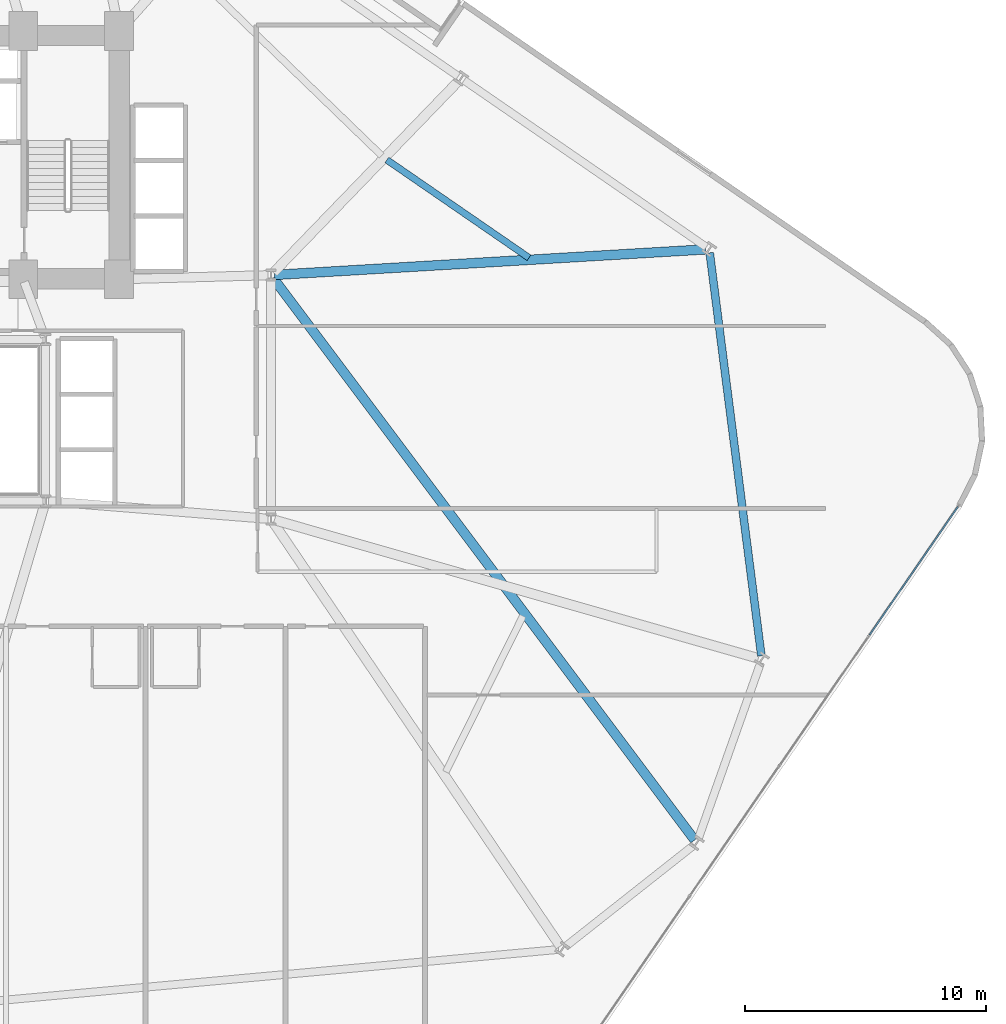
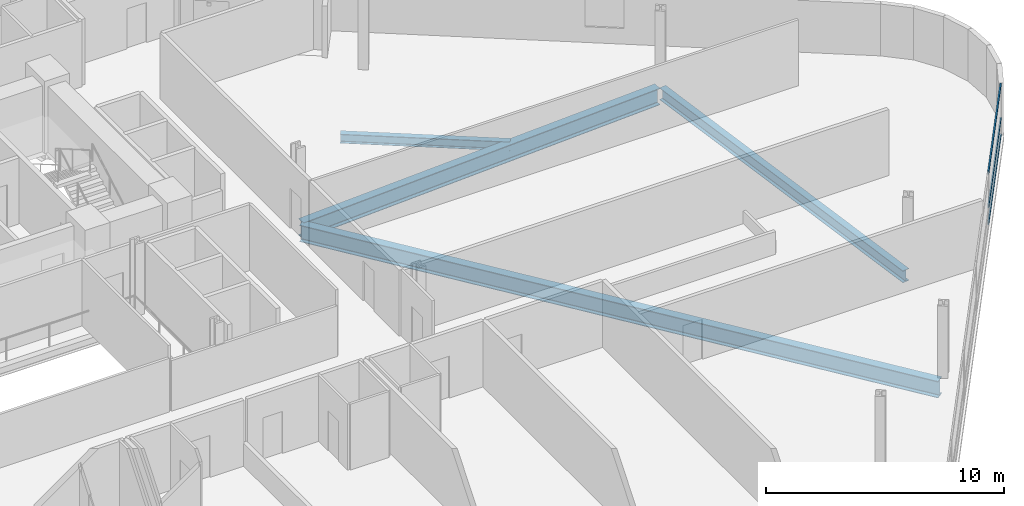
# One storey, part 10 of 24: 4 beams, 3 members, 1 element without a shape of its own.
"""IFC4 building model written with IfcOpenShell, lengths in metres."""

import ifcopenshell
import ifcopenshell.guid

model = None  # the IFC model being written
_history = None  # IfcOwnerHistory: only IFC2X3 demands one
_inside = {}  # id of a spatial element -> (the spatial element, [elements in it])
_under = {}  # id of a project, library or spatial element -> (it, [spatial elements below it])
_declared = {}  # id of a project -> (the project, [libraries it declares])
_typed = {}  # id of a type object -> (the type object, [elements of that type])
_made_of = {}  # id of a material, layer set ... -> (it, [elements and type objects made of it])


def new_model(schema):
    """Start an empty IFC model of exactly this schema.

    Asked for "IFC4X3", IfcOpenShell would pick the latest addendum, in which some entities
    have other attributes; the version numbers below select the first issue.
    IFC2X3 requires an IfcOwnerHistory on every rooted entity: one is made here for all.
    """
    global model, _history
    if schema == "IFC4X3":
        model = ifcopenshell.file(schema_version=(4, 3, 0, 0))
    else:
        model = ifcopenshell.file(schema=schema)
    _inside.clear()
    _under.clear()
    _declared.clear()
    _typed.clear()
    _made_of.clear()
    _history = None
    if model.schema == "IFC2X3":
        org = make("IfcOrganization", Name="unknown")
        user = make(
            "IfcPersonAndOrganization",
            ThePerson=make("IfcPerson", FamilyName="unknown"),
            TheOrganization=org,
        )
        app = make(
            "IfcApplication",
            ApplicationDeveloper=org,
            Version="unknown",
            ApplicationFullName="unknown",
            ApplicationIdentifier="unknown",
        )
        _history = make(
            "IfcOwnerHistory",
            OwningUser=user,
            OwningApplication=app,
            ChangeAction="ADDED",
            CreationDate=0,
        )
    return model


def make(cls, **values):
    """One entity of the class cls with the attributes given. An attribute that is None is left unset."""
    return model.create_entity(
        cls, **{name: value for name, value in values.items() if value is not None}
    )


def rooted(cls, **values):
    """An entity with a GlobalId (a new one), such as an element, a storey or a relation."""
    return make(cls, GlobalId=ifcopenshell.guid.new(), OwnerHistory=_history, **values)


def si_unit(unit_type, name, prefix=None):
    """IfcSIUnit, for example si_unit("LENGTHUNIT", "METRE", prefix="MILLI")."""
    return make("IfcSIUnit", UnitType=unit_type, Prefix=prefix, Name=name)


def assignment(units):
    """IfcUnitAssignment: the units of a project."""
    return None if units is None else make("IfcUnitAssignment", Units=units)


def point(xyz):
    """IfcCartesianPoint."""
    return None if xyz is None else make("IfcCartesianPoint", Coordinates=xyz)


def direction(xyz):
    """IfcDirection."""
    return None if xyz is None else make("IfcDirection", DirectionRatios=xyz)


def frame(location, z_axis=None, x_axis=None):
    """IfcAxis2Placement3D, a coordinate frame: its origin and axes. An axis left out is left unset."""
    return make(
        "IfcAxis2Placement3D",
        Location=point(location),
        Axis=direction(z_axis),
        RefDirection=direction(x_axis),
    )


def frame_2d(location, x_axis=None):
    """IfcAxis2Placement2D, a coordinate frame in the plane: its origin and x axis."""
    return make(
        "IfcAxis2Placement2D", Location=point(location), RefDirection=direction(x_axis)
    )


def origin():
    """The frame at (0, 0, 0) with its axes left unset."""
    return frame((0.0, 0.0, 0.0))


def origin_2d():
    """The frame at (0, 0) in the plane with its x axis left unset."""
    return frame_2d((0.0, 0.0))


def place(relative_to, where):
    """IfcLocalPlacement: puts the frame where relative to a parent placement (None: the world)."""
    return make(
        "IfcLocalPlacement", PlacementRelTo=relative_to, RelativePlacement=where
    )


def context(
    kind, dimensions, precision=None, world=None, true_north=None, identifier=None
):
    """IfcGeometricRepresentationContext, for example the 3D "Model" context."""
    return make(
        "IfcGeometricRepresentationContext",
        ContextIdentifier=identifier,
        ContextType=kind,
        CoordinateSpaceDimension=dimensions,
        Precision=precision,
        WorldCoordinateSystem=world,
        TrueNorth=true_north,
    )


def subcontext(parent, identifier, kind, view, scale=None):
    """IfcGeometricRepresentationSubContext, for example "Body" below "Model"."""
    return make(
        "IfcGeometricRepresentationSubContext",
        ContextIdentifier=identifier,
        ContextType=kind,
        ParentContext=parent,
        TargetScale=scale,
        TargetView=view,
    )


def project(units=None, contexts=None):
    """IfcProject with its units and contexts."""
    return rooted(
        "IfcProject",
        Name="project",
        RepresentationContexts=contexts,
        UnitsInContext=assignment(units),
    )


def spatial(cls, under=None, at=None, **own):
    """A site, building, storey or space (cls), placed at a placement, below another one or the project."""
    s = rooted(cls, ObjectPlacement=at, **own)
    if under is not None:
        _under.setdefault(under.id(), (under, []))[1].append(s)
    return s


def profile(cls, at=None, kind="AREA", **sizes):
    """A parametric profile (cls). Its sizes go by their IFC names, for example OverallWidth=200.0."""
    return make(cls, ProfileType=kind, Position=at, **sizes)


def hollow_rectangle(**sizes):
    """IfcRectangleHollowProfileDef."""
    return profile("IfcRectangleHollowProfileDef", **sizes)


def i_section(**sizes):
    """IfcIShapeProfileDef."""
    return profile("IfcIShapeProfileDef", **sizes)


def extrude(swept, where, along, depth):
    """IfcExtrudedAreaSolid: the profile swept, set in the frame where, extruded along a direction by depth."""
    return make(
        "IfcExtrudedAreaSolid",
        SweptArea=swept,
        Position=where,
        ExtrudedDirection=direction(along),
        Depth=depth,
    )


def shape(context_of_items, identifier, shape_type, items):
    """IfcShapeRepresentation: the items that make up one representation, for example the "Body"."""
    return make(
        "IfcShapeRepresentation",
        ContextOfItems=context_of_items,
        RepresentationIdentifier=identifier,
        RepresentationType=shape_type,
        Items=items,
    )


def material(Name=None, Category=None):
    """IfcMaterial."""
    return make("IfcMaterial", Name=Name, Category=Category)


def layer(
    of_material, thickness, ventilated=None, Name=None, Category=None, Priority=None
):
    """IfcMaterialLayer: one layer of a wall or slab, of a material (None: an air gap)."""
    return make(
        "IfcMaterialLayer",
        Material=of_material,
        LayerThickness=thickness,
        IsVentilated=ventilated,
        Name=Name,
        Category=Category,
        Priority=Priority,
    )


def layer_set(layers, Name=None):
    """IfcMaterialLayerSet."""
    return make("IfcMaterialLayerSet", MaterialLayers=layers, LayerSetName=Name)


def material_profile(
    of_material, cross_section, Name=None, Category=None, Priority=None
):
    """IfcMaterialProfile: a cross section and its material."""
    return make(
        "IfcMaterialProfile",
        Name=Name,
        Material=of_material,
        Profile=cross_section,
        Priority=Priority,
        Category=Category,
    )


def profile_set(profiles, Name=None, composite=None):
    """IfcMaterialProfileSet."""
    return make(
        "IfcMaterialProfileSet",
        Name=Name,
        MaterialProfiles=profiles,
        CompositeProfile=composite,
    )


def made_of(thing, what):
    """Note that an element or type object is made of a material, layer set ...; save() writes the relation."""
    if what is not None:
        _made_of.setdefault(what.id(), (what, []))[1].append(thing)
    return thing


def type_object(cls, material=None, **own):
    """A type object (cls), such as IfcWallType, which elements share."""
    return made_of(rooted(cls, **own), material)


def element(
    cls,
    number,
    at=None,
    inside=None,
    cuts=None,
    type_object=None,
    material=None,
    context=None,
    identifier="Body",
    shape_type=None,
    held_by="IfcProductDefinitionShape",
    body=None,
    shapes=None,
    **own,
):
    """One element of the class cls, such as IfcWall. Its Tag is "e" and its number.

    at: its placement. inside: the storey or other place that contains it. cuts: it is an
    opening in that element (IfcRelVoidsElement). A single representation is given by context,
    identifier, shape_type and body (its items); several are given by shapes. held_by: the class
    of the entity that holds the representations. save() writes the other relations.
    """
    e = rooted(cls, Tag="e%d" % number, ObjectPlacement=at, **own)
    if body is not None:
        shapes = [shape(context, identifier, shape_type, body)]
    if shapes is not None:
        e.Representation = make(held_by, Representations=shapes)
    if inside is not None:
        _inside.setdefault(inside.id(), (inside, []))[1].append(e)
    if cuts is not None:
        rooted(
            "IfcRelVoidsElement", RelatingBuildingElement=cuts, RelatedOpeningElement=e
        )
    if type_object is not None:
        _typed.setdefault(type_object.id(), (type_object, []))[1].append(e)
    return made_of(e, material)


def aggregate(whole, parts):
    """IfcRelAggregates: a whole, such as a stair, and the parts it consists of."""
    return rooted("IfcRelAggregates", RelatingObject=whole, RelatedObjects=parts)


def save(model, path):
    """Write the relations noted so far, then the file.

    IfcRelAggregates (storeys below a building ...), IfcRelContainedInSpatialStructure (elements
    in a storey), IfcRelDefinesByType, IfcRelAssociatesMaterial and IfcRelDeclares: one each for
    every whole, place, type object, material and project.
    """
    for whole, parts in _under.values():
        aggregate(whole, parts)
    for where, things in _inside.values():
        rooted(
            "IfcRelContainedInSpatialStructure",
            RelatedElements=things,
            RelatingStructure=where,
        )
    for kind, things in _typed.values():
        rooted("IfcRelDefinesByType", RelatedObjects=things, RelatingType=kind)
    for what, things in _made_of.values():
        rooted("IfcRelAssociatesMaterial", RelatedObjects=things, RelatingMaterial=what)
    for by, libraries in _declared.values():
        rooted("IfcRelDeclares", RelatingContext=by, RelatedDefinitions=libraries)
    model.write(path)


model = new_model("IFC4")

# Units and contexts
model_context = context("Model", 3, precision=1e-05, world=origin(), true_north=direction((0.0, 1.0)))
body_context = subcontext(model_context, "Body", "Model", "MODEL_VIEW")
ifc_project = project(units=[si_unit("LENGTHUNIT", "METRE"), si_unit("AREAUNIT", "SQUARE_METRE"), si_unit("VOLUMEUNIT", "CUBIC_METRE"), si_unit("PLANEANGLEUNIT", "RADIAN"), si_unit("MASSUNIT", "GRAM", prefix="KILO")], contexts=[model_context])

# Site, building, storey
site_placement = place(None, origin())
site = spatial("IfcSite", under=ifc_project, at=site_placement, CompositionType="ELEMENT")
building_placement = place(site_placement, origin())
building = spatial("IfcBuilding", under=site, at=building_placement, Name="Varnelok Gate Tower", CompositionType="ELEMENT")
storey_placement = place(building_placement, frame((0.0, 0.0, 67.699951171875)))
storey = spatial("IfcBuildingStorey", under=building, at=storey_placement, Name="L16", CompositionType="ELEMENT", Elevation=67.699951171875)

# Beams
ifc_material_1 = material(Name="Structural Steel ASTM A992 Grade 50", Category="steel")
ifc_material_profile_1 = material_profile(ifc_material_1, i_section(OverallWidth=0.280029296875, OverallDepth=0.462890625, WebThickness=0.0107421875, FlangeThickness=0.017333984375, FilletRadius=0.014892578125, at=origin_2d()), Name="W18X76")
ifc_profile_set_1 = profile_set([ifc_material_profile_1], Name="Structural Steel ASTM A992 Grade 50")
beam_type_1 = type_object("IfcBeamType", Name="BM-JST-W18X76", PredefinedType="JOIST", material=ifc_profile_set_1)
beam_1_placement = place(storey_placement, frame((64.705078125, 29.640380859375, -0.4814453125), z_axis=(-0.823532034116, 0.567269767205, 0.0), x_axis=(-0.567269767205, -0.823532034116, 0.0)))
element("IfcBeam", 1, at=beam_1_placement, inside=storey, type_object=beam_type_1, Name="L16 Sector Floor Joist 6", PredefinedType="JOIST", context=body_context, shape_type="SweptSolid", body=[
    extrude(i_section(OverallWidth=0.280029296875, OverallDepth=0.462890625, WebThickness=0.0107421875, FlangeThickness=0.017333984375, FilletRadius=0.014892578125, at=origin_2d()), origin(), (0.0, 0.0, 1.0), 7.15771484375),
])
ifc_material_profile_2 = material_profile(ifc_material_1, i_section(OverallWidth=0.39892578125, OverallDepth=0.85498046875, WebThickness=0.018310546875, FlangeThickness=0.029296875, FilletRadius=0.02392578125, at=origin_2d()), Name="W33X201")
ifc_profile_set_2 = profile_set([ifc_material_profile_2], Name="Structural Steel ASTM A992 Grade 50")
beam_type_2 = type_object("IfcBeamType", Name="BM-PRI-W33X201", PredefinedType="BEAM", material=ifc_profile_set_2)
beam_2_placement = place(storey_placement, frame((54.090087890625, 28.800048828125, -0.677490234375), z_axis=(0.600038863323, -0.799970851033, 0.0), x_axis=(0.799970851033, 0.600038863323, 0.0)))
element("IfcBeam", 2, at=beam_2_placement, inside=storey, type_object=beam_type_2, Name="L16 Radial Floor Girder 7", PredefinedType="BEAM", context=body_context, shape_type="SweptSolid", body=[
    extrude(i_section(OverallWidth=0.39892578125, OverallDepth=0.85498046875, WebThickness=0.018310546875, FlangeThickness=0.029296875, FilletRadius=0.02392578125, at=origin_2d()), origin(), (0.0, 0.0, 1.0), 29.148193359375),
])
beam_3_placement = place(storey_placement, frame((54.149658203125, 28.928955078125, -0.677490234375), z_axis=(0.998250753284, 0.059122191839, 0.0), x_axis=(-0.059122191839, 0.998250753284, 0.0)))
element("IfcBeam", 3, at=beam_3_placement, inside=storey, type_object=beam_type_2, Name="L16 Radial Floor Girder 9", PredefinedType="BEAM", context=body_context, shape_type="SweptSolid", body=[
    extrude(i_section(OverallWidth=0.39892578125, OverallDepth=0.85498046875, WebThickness=0.018310546875, FlangeThickness=0.029296875, FilletRadius=0.02392578125, at=origin_2d()), origin(), (0.0, 0.0, 1.0), 17.91748046875),
])
ifc_material_profile_3 = material_profile(ifc_material_1, i_section(OverallWidth=0.323974609375, OverallDepth=0.611083984375, WebThickness=0.0126953125, FlangeThickness=0.01904296875, FilletRadius=0.01806640625, at=origin_2d()), Name="W24X104")
ifc_profile_set_3 = profile_set([ifc_material_profile_3], Name="Structural Steel ASTM A992 Grade 50")
beam_type_3 = type_object("IfcBeamType", Name="BM-SPN-W24X104", PredefinedType="SPANDREL", material=ifc_profile_set_3)
beam_4_placement = place(storey_placement, frame((74.347900390625, 13.125, -0.555419921875), z_axis=(-0.127122673264, 0.991887002608, 0.0), x_axis=(-0.991887002608, -0.127122673264, 0.0)))
element("IfcBeam", 4, at=beam_4_placement, inside=storey, type_object=beam_type_3, Name="L16 Perimeter Spandrel Beam 8", PredefinedType="SPANDREL", context=body_context, shape_type="SweptSolid", body=[
    extrude(i_section(OverallWidth=0.323974609375, OverallDepth=0.611083984375, WebThickness=0.0126953125, FlangeThickness=0.01904296875, FilletRadius=0.01806640625, at=origin_2d()), origin(), (0.0, 0.0, 1.0), 16.860107421875),
])

# Curtain wall, members
ifc_material_2 = material(Name="Anodized Aluminum Alloy 6063-T6", Category="aluminium")
ifc_layer = layer(ifc_material_2, 0.179931640625)
ifc_layer_set = layer_set([ifc_layer], Name="Anodized Aluminum Alloy 6063-T6")
curtain_wall_type = type_object("IfcCurtainWallType", Name="CW3-HOTEL-VISION", PredefinedType="USERDEFINED", material=ifc_layer_set)
curtain_wall_placement = place(storey_placement, origin())
curtain_wall = element("IfcCurtainWall", 5, at=curtain_wall_placement, inside=storey, type_object=curtain_wall_type, Name="L16 East End Vision Curtain Wall", ObjectType="UNITISED CURTAIN WALL", PredefinedType="USERDEFINED")
ifc_material_profile_4 = material_profile(ifc_material_2, hollow_rectangle(XDim=0.06494140625, YDim=0.159912109375, WallThickness=0.00390625, at=origin_2d()), Name="ALU160X65X4")
ifc_profile_set_4 = profile_set([ifc_material_profile_4], Name="Anodized Aluminum Alloy 6063-T6")
member_type = type_object("IfcMemberType", Name="CW-TRAN-160", PredefinedType="USERDEFINED", material=ifc_profile_set_4)
member_1_placement = place(storey_placement, frame((82.505615234375, 19.3125, 0.032470703125), z_axis=(-0.567298980035, -0.823511910813, 0.0), x_axis=(0.823511910813, -0.567298980035, 0.0)))
member_1 = element("IfcMember", 6, at=member_1_placement, type_object=member_type, Name="CW3 transom 1.1", ObjectType="TRANSOM", PredefinedType="USERDEFINED", context=body_context, shape_type="SweptSolid", body=[
    extrude(hollow_rectangle(XDim=0.06494140625, YDim=0.159912109375, WallThickness=0.00390625, at=origin_2d()), origin(), (0.0, 0.0, 1.0), 6.468994140625),
])
member_2_placement = place(storey_placement, frame((82.505615234375, 19.3125, 0.900146484375), z_axis=(-0.567298980035, -0.823511910813, 0.0), x_axis=(0.823511910813, -0.567298980035, 0.0)))
member_2 = element("IfcMember", 7, at=member_2_placement, type_object=member_type, Name="CW3 transom 1.2", ObjectType="TRANSOM", PredefinedType="USERDEFINED", context=body_context, shape_type="SweptSolid", body=[
    extrude(hollow_rectangle(XDim=0.06494140625, YDim=0.159912109375, WallThickness=0.00390625, at=origin_2d()), origin(), (0.0, 0.0, 1.0), 6.468994140625),
])
member_3_placement = place(storey_placement, frame((82.505615234375, 19.3125, 2.62744140625), z_axis=(-0.567298980035, -0.823511910813, 0.0), x_axis=(0.823511910813, -0.567298980035, 0.0)))
member_3 = element("IfcMember", 8, at=member_3_placement, type_object=member_type, Name="CW3 transom 1.3", ObjectType="TRANSOM", PredefinedType="USERDEFINED", context=body_context, shape_type="SweptSolid", body=[
    extrude(hollow_rectangle(XDim=0.06494140625, YDim=0.159912109375, WallThickness=0.00390625, at=origin_2d()), origin(), (0.0, 0.0, 1.0), 6.468994140625),
])
aggregate(curtain_wall, [member_1, member_2, member_3])

save(model, "model.ifc")
